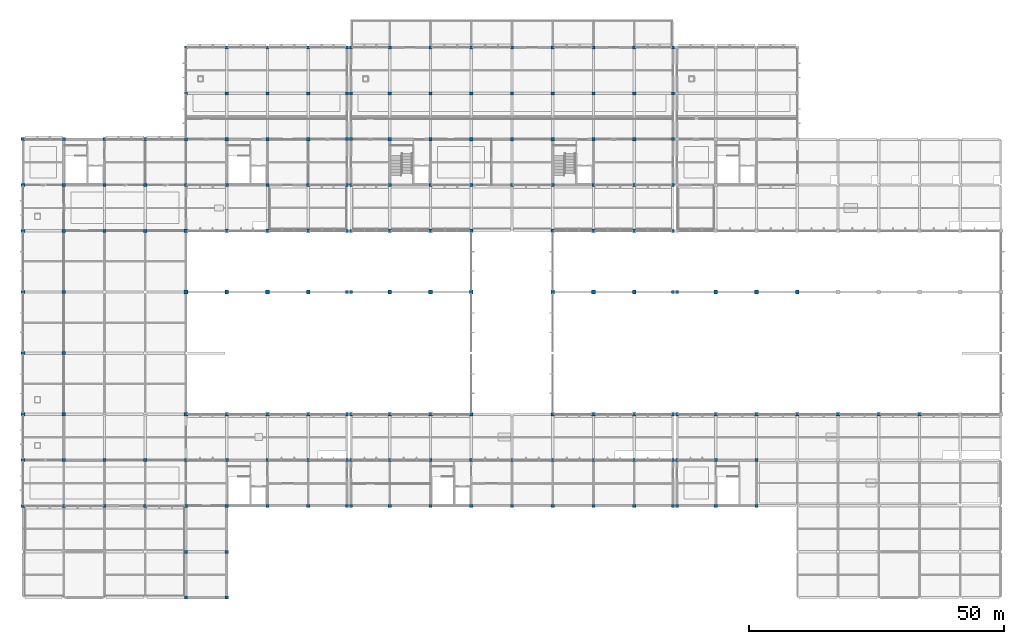
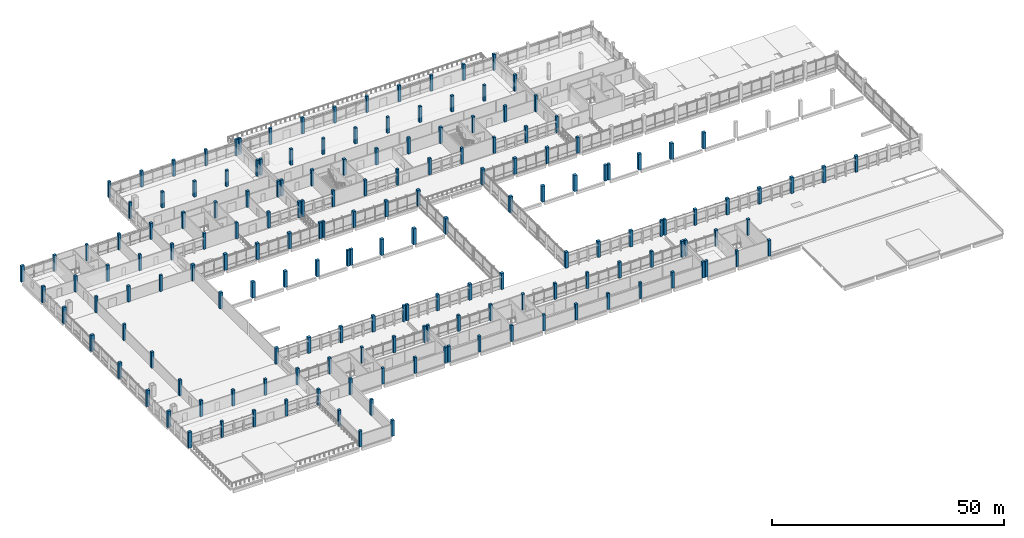
# One storey, part 1 of 70: 170 columns.
"""IFC4 building model written with IfcOpenShell, lengths in metres."""

from ifc_helpers import new_model, si_unit, direction, frame, origin, origin_2d, place, context, subcontext, project, spatial, rectangle, extrude, material, material_profile, profile_set, type_object, element, save


model = new_model("IFC4")

# Units and contexts
model_context = context("Model", 3, precision=1e-05, world=origin(), true_north=direction((0.0, 1.0)))
body_context = subcontext(model_context, "Body", "Model", "MODEL_VIEW")
ifc_project = project(units=[si_unit("LENGTHUNIT", "METRE"), si_unit("AREAUNIT", "SQUARE_METRE"), si_unit("VOLUMEUNIT", "CUBIC_METRE"), si_unit("PLANEANGLEUNIT", "RADIAN"), si_unit("MASSUNIT", "GRAM", prefix="KILO"), si_unit("THERMODYNAMICTEMPERATUREUNIT", "KELVIN"), si_unit("POWERUNIT", "WATT")], contexts=[model_context])

# Site, building, storey
site_placement = place(None, origin())
site = spatial("IfcSite", under=ifc_project, at=site_placement, CompositionType="ELEMENT")
building_placement = place(site_placement, origin())
building = spatial("IfcBuilding", under=site, at=building_placement, Name="Kronsvod Quay Wholesale Market", CompositionType="ELEMENT")
storey_placement = place(building_placement, frame((0.0, 0.0, 9.0)))
storey = spatial("IfcBuildingStorey", under=building, at=storey_placement, Name="L02", CompositionType="ELEMENT", Elevation=9.0)

# Columns
ifc_material_1 = material(Name="Precast concrete C40/50", Category="concrete")
ifc_material_profile_1 = material_profile(ifc_material_1, rectangle(XDim=0.60009765625, YDim=0.60009765625, at=origin_2d()), Name="PCC600x600")
ifc_profile_set_1 = profile_set([ifc_material_profile_1], Name="Precast concrete C40/50")
column_type_1 = type_object("IfcColumnType", Name="Col_PCC600x600", PredefinedType="COLUMN", material=ifc_profile_set_1)
for number, where, z_axis, x_axis, name in (
    (1, (8.0, 36.0, 0.0), (0.0, 0.0, 1.0), (1.0, 0.0, 0.0), "COLG-L02-80-360"),
    (2, (8.0, 45.0, 0.0), (0.0, 0.0, 1.0), (1.0, 0.0, 0.0), "COLG-L02-80-450"),
    (3, (8.0, 54.0, 0.0), (0.0, 0.0, 1.0), (1.0, 0.0, 0.0), "COLG-L02-80-540"),
    (4, (8.0, 66.0, 0.0), (0.0, 0.0, 1.0), (1.0, 0.0, 0.0), "COLG-L02-80-660"),
    (5, (8.0, 78.0, 0.0), (0.0, 0.0, 1.0), (1.0, 0.0, 0.0), "COLG-L02-80-780"),
    (6, (8.0, 90.0, 0.0), (0.0, 0.0, 1.0), (1.0, 0.0, 0.0), "COLG-L02-80-900"),
    (7, (8.0, 99.0, 0.0), (0.0, 0.0, 1.0), (1.0, 0.0, 0.0), "COLG-L02-80-990"),
    (8, (8.0, 108.0, 0.0), (0.0, 0.0, 1.0), (1.0, 0.0, 0.0), "COLG-L02-80-1080"),
    (9, (16.0, 36.0, 0.0), (0.0, 0.0, 1.0), (1.0, 0.0, 0.0), "COLG-L02-160-360"),
    (10, (16.0, 45.0, 0.0), (0.0, 0.0, 1.0), (1.0, 0.0, 0.0), "COLG-L02-160-450"),
    (11, (16.0, 90.0, 0.0), (0.0, 0.0, 1.0), (1.0, 0.0, 0.0), "COLG-L02-160-900"),
    (12, (16.0, 99.0, 0.0), (0.0, 0.0, 1.0), (1.0, 0.0, 0.0), "COLG-L02-160-990"),
    (13, (16.0, 108.0, 0.0), (0.0, 0.0, 1.0), (1.0, 0.0, 0.0), "COLG-L02-160-1080"),
    (14, (24.0, 36.0, 0.0), (0.0, 0.0, 1.0), (1.0, 0.0, 0.0), "COLG-L02-240-360"),
    (15, (24.0, 45.0, 0.0), (0.0, 0.0, 1.0), (1.0, 0.0, 0.0), "COLG-L02-240-450"),
    (16, (24.0, 90.0, 0.0), (0.0, 0.0, 1.0), (1.0, 0.0, 0.0), "COLG-L02-240-900"),
    (17, (24.0, 99.0, 0.0), (0.0, 0.0, 1.0), (1.0, 0.0, 0.0), "COLG-L02-240-990"),
    (18, (24.0, 108.0, 0.0), (0.0, 0.0, 1.0), (1.0, 0.0, 0.0), "COLG-L02-240-1080"),
    (19, (32.0, 18.0, 0.0), (0.0, 0.0, 1.0), (1.0, 0.0, 0.0), "COLG-L02-320-180"),
    (20, (32.0, 27.0, 0.0), (0.0, 0.0, 1.0), (1.0, 0.0, 0.0), "COLG-L02-320-270"),
    (21, (32.0, 36.0, 0.0), (0.0, 0.0, 1.0), (1.0, 0.0, 0.0), "COLG-L02-320-360"),
    (22, (32.0, 45.0, 0.0), (0.0, 0.0, 1.0), (1.0, 0.0, 0.0), "COLG-L02-320-450"),
    (23, (32.0, 99.0, 0.0), (0.0, 0.0, 1.0), (1.0, 0.0, 0.0), "COLG-L02-320-990"),
    (24, (32.0, 117.0, 0.0), (0.0, 0.0, 1.0), (1.0, 0.0, 0.0), "COLG-L02-320-1170"),
    (25, (32.0, 126.0, 0.0), (0.0, 0.0, 1.0), (1.0, 0.0, 0.0), "COLG-L02-320-1260"),
    (26, (40.0, 18.0, 0.0), (0.0, 0.0, 1.0), (1.0, 0.0, 0.0), "COLG-L02-400-180"),
    (27, (40.0, 27.0, 0.0), (0.0, 0.0, 1.0), (1.0, 0.0, 0.0), "COLG-L02-400-270"),
    (28, (40.0, 36.0, 0.0), (0.0, 0.0, 1.0), (1.0, 0.0, 0.0), "COLG-L02-400-360"),
    (29, (40.0, 45.0, 0.0), (0.0, 0.0, 1.0), (1.0, 0.0, 0.0), "COLG-L02-400-450"),
    (30, (40.0, 99.0, 0.0), (0.0, 0.0, 1.0), (1.0, 0.0, 0.0), "COLG-L02-400-990"),
    (31, (40.0, 117.0, 0.0), (0.0, 0.0, 1.0), (1.0, 0.0, 0.0), "COLG-L02-400-1170"),
    (32, (40.0, 126.0, 0.0), (0.0, 0.0, 1.0), (1.0, 0.0, 0.0), "COLG-L02-400-1260"),
    (33, (48.0, 36.0, 0.0), (0.0, 0.0, 1.0), (1.0, 0.0, 0.0), "COLG-L02-480-360"),
    (34, (48.0, 45.0, 0.0), (0.0, 0.0, 1.0), (1.0, 0.0, 0.0), "COLG-L02-480-450"),
    (35, (48.0, 99.0, 0.0), (0.0, 0.0, 1.0), (1.0, 0.0, 0.0), "COLG-L02-480-990"),
    (36, (48.0, 117.0, 0.0), (0.0, 0.0, 1.0), (1.0, 0.0, 0.0), "COLG-L02-480-1170"),
    (37, (48.0, 126.0, 0.0), (0.0, 0.0, 1.0), (1.0, 0.0, 0.0), "COLG-L02-480-1260"),
    (38, (56.0, 36.0, 0.0), (0.0, 0.0, 1.0), (1.0, 0.0, 0.0), "COLG-L02-560-360"),
    (39, (56.0, 45.0, 0.0), (0.0, 0.0, 1.0), (1.0, 0.0, 0.0), "COLG-L02-560-450"),
    (40, (56.0, 99.0, 0.0), (0.0, 0.0, 1.0), (1.0, 0.0, 0.0), "COLG-L02-560-990"),
    (41, (56.0, 117.0, 0.0), (0.0, 0.0, 1.0), (1.0, 0.0, 0.0), "COLG-L02-560-1170"),
    (42, (56.0, 126.0, 0.0), (0.0, 0.0, 1.0), (1.0, 0.0, 0.0), "COLG-L02-560-1260"),
    (43, (63.60009765625, 36.0, 0.0), (0.0, 0.0, 1.0), (1.0, 0.0, 0.0), "COLG-L02-636-360"),
    (44, (63.60009765625, 45.0, 0.0), (0.0, 0.0, 1.0), (1.0, 0.0, 0.0), "COLG-L02-636-450"),
    (45, (63.60009765625, 54.0, 0.0), (0.0, 0.0, 1.0), (1.0, 0.0, 0.0), "COLG-L02-636-540"),
    (46, (63.60009765625, 78.0, 0.0), (0.0, 0.0, 1.0), (1.0, 0.0, 0.0), "COLG-L02-636-780"),
    (47, (63.60009765625, 90.0, 0.0), (0.0, 0.0, 1.0), (1.0, 0.0, 0.0), "COLG-L02-636-900"),
    (48, (63.60009765625, 99.0, 0.0), (0.0, 0.0, 1.0), (1.0, 0.0, 0.0), "COLG-L02-636-990"),
    (49, (63.60009765625, 108.0, 0.0), (0.0, 0.0, 1.0), (1.0, 0.0, 0.0), "COLG-L02-636-1080"),
    (50, (63.60009765625, 117.0, 0.0), (0.0, 0.0, 1.0), (1.0, 0.0, 0.0), "COLG-L02-636-1170"),
    (51, (63.60009765625, 126.0, 0.0), (0.0, 0.0, 1.0), (1.0, 0.0, 0.0), "COLG-L02-636-1260"),
    (52, (64.39990234375, 36.0, 0.0), (0.0, 0.0, 1.0), (1.0, 0.0, 0.0), "COLG-L02-644-360"),
    (53, (64.39990234375, 45.0, 0.0), (0.0, 0.0, 1.0), (1.0, 0.0, 0.0), "COLG-L02-644-450"),
    (54, (64.39990234375, 54.0, 0.0), (0.0, 0.0, 1.0), (1.0, 0.0, 0.0), "COLG-L02-644-540"),
    (55, (64.39990234375, 78.0, 0.0), (0.0, 0.0, 1.0), (1.0, 0.0, 0.0), "COLG-L02-644-780"),
    (56, (64.39990234375, 90.0, 0.0), (0.0, 0.0, 1.0), (1.0, 0.0, 0.0), "COLG-L02-644-900"),
    (57, (64.39990234375, 99.0, 0.0), (0.0, 0.0, 1.0), (1.0, 0.0, 0.0), "COLG-L02-644-990"),
    (58, (64.39990234375, 108.0, 0.0), (0.0, 0.0, 1.0), (1.0, 0.0, 0.0), "COLG-L02-644-1080"),
    (59, (64.39990234375, 117.0, 0.0), (0.0, 0.0, 1.0), (1.0, 0.0, 0.0), "COLG-L02-644-1170"),
    (60, (64.39990234375, 126.0, 0.0), (0.0, 0.0, 1.0), (1.0, 0.0, 0.0), "COLG-L02-644-1260"),
    (61, (72.0, 36.0, 0.0), (0.0, 0.0, 1.0), (1.0, 0.0, 0.0), "COLG-L02-720-360"),
    (62, (72.0, 45.0, 0.0), (0.0, 0.0, 1.0), (1.0, 0.0, 0.0), "COLG-L02-720-450"),
    (63, (72.0, 99.0, 0.0), (0.0, 0.0, 1.0), (1.0, 0.0, 0.0), "COLG-L02-720-990"),
    (64, (72.0, 117.0, 0.0), (0.0, 0.0, 1.0), (1.0, 0.0, 0.0), "COLG-L02-720-1170"),
    (65, (72.0, 126.0, 0.0), (0.0, 0.0, 1.0), (1.0, 0.0, 0.0), "COLG-L02-720-1260"),
    (66, (80.0, 36.0, 0.0), (0.0, 0.0, 1.0), (1.0, 0.0, 0.0), "COLG-L02-800-360"),
    (67, (80.0, 45.0, 0.0), (0.0, 0.0, 1.0), (1.0, 0.0, 0.0), "COLG-L02-800-450"),
    (68, (80.0, 99.0, 0.0), (0.0, 0.0, 1.0), (1.0, 0.0, 0.0), "COLG-L02-800-990"),
    (69, (80.0, 117.0, 0.0), (0.0, 0.0, 1.0), (1.0, 0.0, 0.0), "COLG-L02-800-1170"),
    (70, (80.0, 126.0, 0.0), (0.0, 0.0, 1.0), (1.0, 0.0, 0.0), "COLG-L02-800-1260"),
    (71, (88.0, 36.0, 0.0), (0.0, 0.0, 1.0), (1.0, 0.0, 0.0), "COLG-L02-880-360"),
    (72, (88.0, 45.0, 0.0), (0.0, 0.0, 1.0), (1.0, 0.0, 0.0), "COLG-L02-880-450"),
    (73, (88.0, 99.0, 0.0), (0.0, 0.0, 1.0), (1.0, 0.0, 0.0), "COLG-L02-880-990"),
    (74, (88.0, 117.0, 0.0), (0.0, 0.0, 1.0), (1.0, 0.0, 0.0), "COLG-L02-880-1170"),
    (75, (88.0, 126.0, 0.0), (0.0, 0.0, 1.0), (1.0, 0.0, 0.0), "COLG-L02-880-1260"),
    (76, (96.0, 36.0, 0.0), (0.0, 0.0, 1.0), (1.0, 0.0, 0.0), "COLG-L02-960-360"),
    (77, (96.0, 45.0, 0.0), (0.0, 0.0, 1.0), (1.0, 0.0, 0.0), "COLG-L02-960-450"),
    (78, (96.0, 99.0, 0.0), (0.0, 0.0, 1.0), (1.0, 0.0, 0.0), "COLG-L02-960-990"),
    (79, (96.0, 117.0, 0.0), (0.0, 0.0, 1.0), (1.0, 0.0, 0.0), "COLG-L02-960-1170"),
    (80, (96.0, 126.0, 0.0), (0.0, 0.0, 1.0), (1.0, 0.0, 0.0), "COLG-L02-960-1260"),
    (81, (104.0, 36.0, 0.0), (0.0, 0.0, 1.0), (1.0, 0.0, 0.0), "COLG-L02-1040-360"),
    (82, (104.0, 45.0, 0.0), (0.0, 0.0, 1.0), (1.0, 0.0, 0.0), "COLG-L02-1040-450"),
    (83, (104.0, 99.0, 0.0), (0.0, 0.0, 1.0), (1.0, 0.0, 0.0), "COLG-L02-1040-990"),
    (84, (104.0, 117.0, 0.0), (0.0, 0.0, 1.0), (1.0, 0.0, 0.0), "COLG-L02-1040-1170"),
    (85, (104.0, 126.0, 0.0), (0.0, 0.0, 1.0), (1.0, 0.0, 0.0), "COLG-L02-1040-1260"),
    (86, (112.0, 36.0, 0.0), (0.0, 0.0, 1.0), (1.0, 0.0, 0.0), "COLG-L02-1120-360"),
    (87, (112.0, 45.0, 0.0), (0.0, 0.0, 1.0), (1.0, 0.0, 0.0), "COLG-L02-1120-450"),
    (88, (112.0, 99.0, 0.0), (0.0, 0.0, 1.0), (1.0, 0.0, 0.0), "COLG-L02-1120-990"),
    (89, (112.0, 117.0, 0.0), (0.0, 0.0, 1.0), (1.0, 0.0, 0.0), "COLG-L02-1120-1170"),
    (90, (112.0, 126.0, 0.0), (0.0, 0.0, 1.0), (1.0, 0.0, 0.0), "COLG-L02-1120-1260"),
    (91, (120.0, 36.0, 0.0), (0.0, 0.0, 1.0), (1.0, 0.0, 0.0), "COLG-L02-1200-360"),
    (92, (120.0, 45.0, 0.0), (0.0, 0.0, 1.0), (1.0, 0.0, 0.0), "COLG-L02-1200-450"),
    (93, (120.0, 99.0, 0.0), (0.0, 0.0, 1.0), (1.0, 0.0, 0.0), "COLG-L02-1200-990"),
    (94, (120.0, 117.0, 0.0), (0.0, 0.0, 1.0), (1.0, 0.0, 0.0), "COLG-L02-1200-1170"),
    (95, (120.0, 126.0, 0.0), (0.0, 0.0, 1.0), (1.0, 0.0, 0.0), "COLG-L02-1200-1260"),
    (96, (127.60009765625, 36.0, 0.0), (0.0, 0.0, 1.0), (1.0, 0.0, 0.0), "COLG-L02-1276-360"),
    (97, (127.60009765625, 45.0, 0.0), (0.0, 0.0, 1.0), (1.0, 0.0, 0.0), "COLG-L02-1276-450"),
    (98, (127.60009765625, 54.0, 0.0), (0.0, 0.0, 1.0), (1.0, 0.0, 0.0), "COLG-L02-1276-540"),
    (99, (127.60009765625, 78.0, 0.0), (0.0, 0.0, 1.0), (1.0, 0.0, 0.0), "COLG-L02-1276-780"),
    (100, (127.60009765625, 90.0, 0.0), (0.0, 0.0, 1.0), (1.0, 0.0, 0.0), "COLG-L02-1276-900"),
    (101, (127.60009765625, 99.0, 0.0), (0.0, 0.0, 1.0), (1.0, 0.0, 0.0), "COLG-L02-1276-990"),
    (102, (127.60009765625, 108.0, 0.0), (0.0, 0.0, 1.0), (1.0, 0.0, 0.0), "COLG-L02-1276-1080"),
    (103, (127.60009765625, 117.0, 0.0), (0.0, 0.0, 1.0), (1.0, 0.0, 0.0), "COLG-L02-1276-1170"),
    (104, (127.60009765625, 126.0, 0.0), (0.0, 0.0, 1.0), (1.0, 0.0, 0.0), "COLG-L02-1276-1260"),
    (105, (128.39990234375, 36.0, 0.0), (0.0, 0.0, 1.0), (1.0, 0.0, 0.0), "COLG-L02-1284-360"),
    (106, (128.39990234375, 45.0, 0.0), (0.0, 0.0, 1.0), (1.0, 0.0, 0.0), "COLG-L02-1284-450"),
    (107, (128.39990234375, 54.0, 0.0), (0.0, 0.0, 1.0), (1.0, 0.0, 0.0), "COLG-L02-1284-540"),
    (108, (128.39990234375, 78.0, 0.0), (0.0, 0.0, 1.0), (1.0, 0.0, 0.0), "COLG-L02-1284-780"),
    (109, (136.0, 36.0, 0.0), (0.0, 0.0, 1.0), (1.0, 0.0, 0.0), "COLG-L02-1360-360"),
    (110, (136.0, 45.0, 0.0), (0.0, 0.0, 1.0), (1.0, 0.0, 0.0), "COLG-L02-1360-450"),
    (111, (144.0, 36.0, 0.0), (0.0, 0.0, 1.0), (1.0, 0.0, 0.0), "COLG-L02-1440-360"),
    (112, (144.0, 45.0, 0.0), (0.0, 0.0, 1.0), (1.0, 0.0, 0.0), "COLG-L02-1440-450"),
):
    element("IfcColumn", number, at=place(storey_placement, frame(where, z_axis=z_axis, x_axis=x_axis)), inside=storey, type_object=column_type_1, Name=name, PredefinedType="COLUMN", context=body_context, shape_type="SweptSolid", body=[
        extrude(rectangle(XDim=0.60009765625, YDim=0.60009765625, at=origin_2d()), origin(), (0.0, 0.0, 1.0), 4.199951171875),
    ])
ifc_material_2 = material(Name="Precast concrete C40/50", Category="concrete")
ifc_material_profile_2 = material_profile(ifc_material_2, rectangle(XDim=0.64990234375, YDim=0.64990234375, at=origin_2d()), Name="COL-08")
ifc_profile_set_2 = profile_set([ifc_material_profile_2], Name="Precast concrete C40/50")
column_type_2 = type_object("IfcColumnType", Name="Col_PCC650x650", PredefinedType="COLUMN", material=ifc_profile_set_2)
for number, where, z_axis, x_axis, name in (
    (113, (32.0, 108.0, 0.0), (0.0, 0.0, 1.0), (1.0, 0.0, 0.0), "COLG-L02-320-1080"),
    (114, (40.0, 108.0, 0.0), (0.0, 0.0, 1.0), (1.0, 0.0, 0.0), "COLG-L02-400-1080"),
    (115, (48.0, 108.0, 0.0), (0.0, 0.0, 1.0), (1.0, 0.0, 0.0), "COLG-L02-480-1080"),
    (116, (56.0, 108.0, 0.0), (0.0, 0.0, 1.0), (1.0, 0.0, 0.0), "COLG-L02-560-1080"),
    (117, (72.0, 108.0, 0.0), (0.0, 0.0, 1.0), (1.0, 0.0, 0.0), "COLG-L02-720-1080"),
    (118, (80.0, 108.0, 0.0), (0.0, 0.0, 1.0), (1.0, 0.0, 0.0), "COLG-L02-800-1080"),
    (119, (88.0, 108.0, 0.0), (0.0, 0.0, 1.0), (1.0, 0.0, 0.0), "COLG-L02-880-1080"),
    (120, (96.0, 108.0, 0.0), (0.0, 0.0, 1.0), (1.0, 0.0, 0.0), "COLG-L02-960-1080"),
    (121, (104.0, 108.0, 0.0), (0.0, 0.0, 1.0), (1.0, 0.0, 0.0), "COLG-L02-1040-1080"),
    (122, (112.0, 108.0, 0.0), (0.0, 0.0, 1.0), (1.0, 0.0, 0.0), "COLG-L02-1120-1080"),
    (123, (120.0, 108.0, 0.0), (0.0, 0.0, 1.0), (1.0, 0.0, 0.0), "COLG-L02-1200-1080"),
):
    element("IfcColumn", number, at=place(storey_placement, frame(where, z_axis=z_axis, x_axis=x_axis)), inside=storey, type_object=column_type_2, Name=name, PredefinedType="COLUMN", context=body_context, shape_type="SweptSolid", body=[
        extrude(rectangle(XDim=0.64990234375, YDim=0.64990234375, at=origin_2d()), origin(), (0.0, 0.0, 1.0), 4.199951171875),
    ])
ifc_material_3 = material(Name="Precast concrete C40/50", Category="concrete")
ifc_material_profile_3 = material_profile(ifc_material_3, rectangle(XDim=0.699951171875, YDim=0.699951171875, at=origin_2d()), Name="PCC700x700")
ifc_profile_set_3 = profile_set([ifc_material_profile_3], Name="Precast concrete C40/50")
column_type_3 = type_object("IfcColumnType", Name="Col_PCC700x700", PredefinedType="COLUMN", material=ifc_profile_set_3)
for number, where, z_axis, x_axis, name in (
    (124, (32.0, 54.0, 0.0), (0.0, 0.0, 1.0), (1.0, 0.0, 0.0), "COLG-L02-320-540"),
    (125, (32.0, 90.0, 0.0), (0.0, 0.0, 1.0), (1.0, 0.0, 0.0), "COLG-L02-320-900"),
    (126, (40.0, 54.0, 0.0), (0.0, 0.0, 1.0), (1.0, 0.0, 0.0), "COLG-L02-400-540"),
    (127, (40.0, 90.0, 0.0), (0.0, 0.0, 1.0), (1.0, 0.0, 0.0), "COLG-L02-400-900"),
    (128, (48.0, 54.0, 0.0), (0.0, 0.0, 1.0), (1.0, 0.0, 0.0), "COLG-L02-480-540"),
    (129, (48.0, 90.0, 0.0), (0.0, 0.0, 1.0), (1.0, 0.0, 0.0), "COLG-L02-480-900"),
    (130, (56.0, 54.0, 0.0), (0.0, 0.0, 1.0), (1.0, 0.0, 0.0), "COLG-L02-560-540"),
    (131, (56.0, 90.0, 0.0), (0.0, 0.0, 1.0), (1.0, 0.0, 0.0), "COLG-L02-560-900"),
    (132, (72.0, 54.0, 0.0), (0.0, 0.0, 1.0), (1.0, 0.0, 0.0), "COLG-L02-720-540"),
    (133, (72.0, 90.0, 0.0), (0.0, 0.0, 1.0), (1.0, 0.0, 0.0), "COLG-L02-720-900"),
    (134, (80.0, 54.0, 0.0), (0.0, 0.0, 1.0), (1.0, 0.0, 0.0), "COLG-L02-800-540"),
    (135, (80.0, 90.0, 0.0), (0.0, 0.0, 1.0), (1.0, 0.0, 0.0), "COLG-L02-800-900"),
    (136, (88.0, 54.0, 0.0), (0.0, 0.0, 1.0), (1.0, 0.0, 0.0), "COLG-L02-880-540"),
    (137, (88.0, 90.0, 0.0), (0.0, 0.0, 1.0), (1.0, 0.0, 0.0), "COLG-L02-880-900"),
    (138, (104.0, 54.0, 0.0), (0.0, 0.0, 1.0), (1.0, 0.0, 0.0), "COLG-L02-1040-540"),
    (139, (104.0, 90.0, 0.0), (0.0, 0.0, 1.0), (1.0, 0.0, 0.0), "COLG-L02-1040-900"),
    (140, (112.0, 54.0, 0.0), (0.0, 0.0, 1.0), (1.0, 0.0, 0.0), "COLG-L02-1120-540"),
    (141, (112.0, 90.0, 0.0), (0.0, 0.0, 1.0), (1.0, 0.0, 0.0), "COLG-L02-1120-900"),
    (142, (120.0, 54.0, 0.0), (0.0, 0.0, 1.0), (1.0, 0.0, 0.0), "COLG-L02-1200-540"),
    (143, (120.0, 90.0, 0.0), (0.0, 0.0, 1.0), (1.0, 0.0, 0.0), "COLG-L02-1200-900"),
    (144, (136.0, 54.0, 0.0), (0.0, 0.0, 1.0), (1.0, 0.0, 0.0), "COLG-L02-1360-540"),
    (145, (144.0, 54.0, 0.0), (0.0, 0.0, 1.0), (1.0, 0.0, 0.0), "COLG-L02-1440-540"),
    (146, (152.0, 54.0, 0.0), (0.0, 0.0, 1.0), (1.0, 0.0, 0.0), "COLG-L02-1520-540"),
    (147, (160.0, 54.0, 0.0), (0.0, 0.0, 1.0), (1.0, 0.0, 0.0), "COLG-L02-1600-540"),
    (148, (168.0, 54.0, 0.0), (0.0, 0.0, 1.0), (1.0, 0.0, 0.0), "COLG-L02-1680-540"),
    (149, (176.0, 54.0, 0.0), (0.0, 0.0, 1.0), (1.0, 0.0, 0.0), "COLG-L02-1760-540"),
):
    element("IfcColumn", number, at=place(storey_placement, frame(where, z_axis=z_axis, x_axis=x_axis)), inside=storey, type_object=column_type_3, Name=name, PredefinedType="COLUMN", context=body_context, shape_type="SweptSolid", body=[
        extrude(rectangle(XDim=0.699951171875, YDim=0.699951171875, at=origin_2d()), origin(), (0.0, 0.0, 1.0), 4.199951171875),
    ])
ifc_material_4 = material(Name="Precast concrete C40/50", Category="concrete")
ifc_material_profile_4 = material_profile(ifc_material_4, rectangle(XDim=0.75, YDim=0.75, at=origin_2d()), Name="COL-07")
ifc_profile_set_4 = profile_set([ifc_material_profile_4], Name="Precast concrete C40/50")
column_type_4 = type_object("IfcColumnType", Name="Col_PCC750x750", PredefinedType="COLUMN", material=ifc_profile_set_4)
for number, where, z_axis, x_axis, name in (
    (150, (32.0, 78.0, 0.0), (0.0, 0.0, 1.0), (1.0, 0.0, 0.0), "COLG-L02-320-780"),
    (151, (40.0, 78.0, 0.0), (0.0, 0.0, 1.0), (1.0, 0.0, 0.0), "COLG-L02-400-780"),
    (152, (48.0, 78.0, 0.0), (0.0, 0.0, 1.0), (1.0, 0.0, 0.0), "COLG-L02-480-780"),
    (153, (56.0, 78.0, 0.0), (0.0, 0.0, 1.0), (1.0, 0.0, 0.0), "COLG-L02-560-780"),
    (154, (72.0, 78.0, 0.0), (0.0, 0.0, 1.0), (1.0, 0.0, 0.0), "COLG-L02-720-780"),
    (155, (80.0, 78.0, 0.0), (0.0, 0.0, 1.0), (1.0, 0.0, 0.0), "COLG-L02-800-780"),
    (156, (88.0, 78.0, 0.0), (0.0, 0.0, 1.0), (1.0, 0.0, 0.0), "COLG-L02-880-780"),
    (157, (104.0, 78.0, 0.0), (0.0, 0.0, 1.0), (1.0, 0.0, 0.0), "COLG-L02-1040-780"),
    (158, (112.0, 78.0, 0.0), (0.0, 0.0, 1.0), (1.0, 0.0, 0.0), "COLG-L02-1120-780"),
    (159, (120.0, 78.0, 0.0), (0.0, 0.0, 1.0), (1.0, 0.0, 0.0), "COLG-L02-1200-780"),
    (160, (136.0, 78.0, 0.0), (0.0, 0.0, 1.0), (1.0, 0.0, 0.0), "COLG-L02-1360-780"),
    (161, (144.0, 78.0, 0.0), (0.0, 0.0, 1.0), (1.0, 0.0, 0.0), "COLG-L02-1440-780"),
    (162, (152.0, 78.0, 0.0), (0.0, 0.0, 1.0), (1.0, 0.0, 0.0), "COLG-L02-1520-780"),
):
    element("IfcColumn", number, at=place(storey_placement, frame(where, z_axis=z_axis, x_axis=x_axis)), inside=storey, type_object=column_type_4, Name=name, PredefinedType="COLUMN", context=body_context, shape_type="SweptSolid", body=[
        extrude(rectangle(XDim=0.75, YDim=0.75, at=origin_2d()), origin(), (0.0, 0.0, 1.0), 4.199951171875),
    ])
ifc_material_5 = material(Name="Precast concrete C40/50", Category="concrete")
ifc_material_profile_5 = material_profile(ifc_material_5, rectangle(XDim=0.800048828125, YDim=0.60009765625, at=origin_2d()), Name="PCC800x600")
ifc_profile_set_5 = profile_set([ifc_material_profile_5], Name="Precast concrete C40/50")
column_type_5 = type_object("IfcColumnType", Name="Col_PCC800x600", PredefinedType="COLUMN", material=ifc_profile_set_5)
for number, where, z_axis, x_axis, name in (
    (163, (0.0, 36.0, 0.0), (0.0, 0.0, 1.0), (1.0, 0.0, 0.0), "COLG-L02-0-360"),
    (164, (0.0, 45.0, 0.0), (0.0, 0.0, 1.0), (1.0, 0.0, 0.0), "COLG-L02-0-450"),
    (165, (0.0, 54.0, 0.0), (0.0, 0.0, 1.0), (1.0, 0.0, 0.0), "COLG-L02-0-540"),
    (166, (0.0, 66.0, 0.0), (0.0, 0.0, 1.0), (1.0, 0.0, 0.0), "COLG-L02-0-660"),
    (167, (0.0, 78.0, 0.0), (0.0, 0.0, 1.0), (1.0, 0.0, 0.0), "COLG-L02-0-780"),
    (168, (0.0, 90.0, 0.0), (0.0, 0.0, 1.0), (1.0, 0.0, 0.0), "COLG-L02-0-900"),
    (169, (0.0, 99.0, 0.0), (0.0, 0.0, 1.0), (1.0, 0.0, 0.0), "COLG-L02-0-990"),
    (170, (0.0, 108.0, 0.0), (0.0, 0.0, 1.0), (1.0, 0.0, 0.0), "COLG-L02-0-1080"),
):
    element("IfcColumn", number, at=place(storey_placement, frame(where, z_axis=z_axis, x_axis=x_axis)), inside=storey, type_object=column_type_5, Name=name, PredefinedType="COLUMN", context=body_context, shape_type="SweptSolid", body=[
        extrude(rectangle(XDim=0.800048828125, YDim=0.60009765625, at=origin_2d()), origin(), (0.0, 0.0, 1.0), 4.199951171875),
    ])

save(model, "model.ifc")
